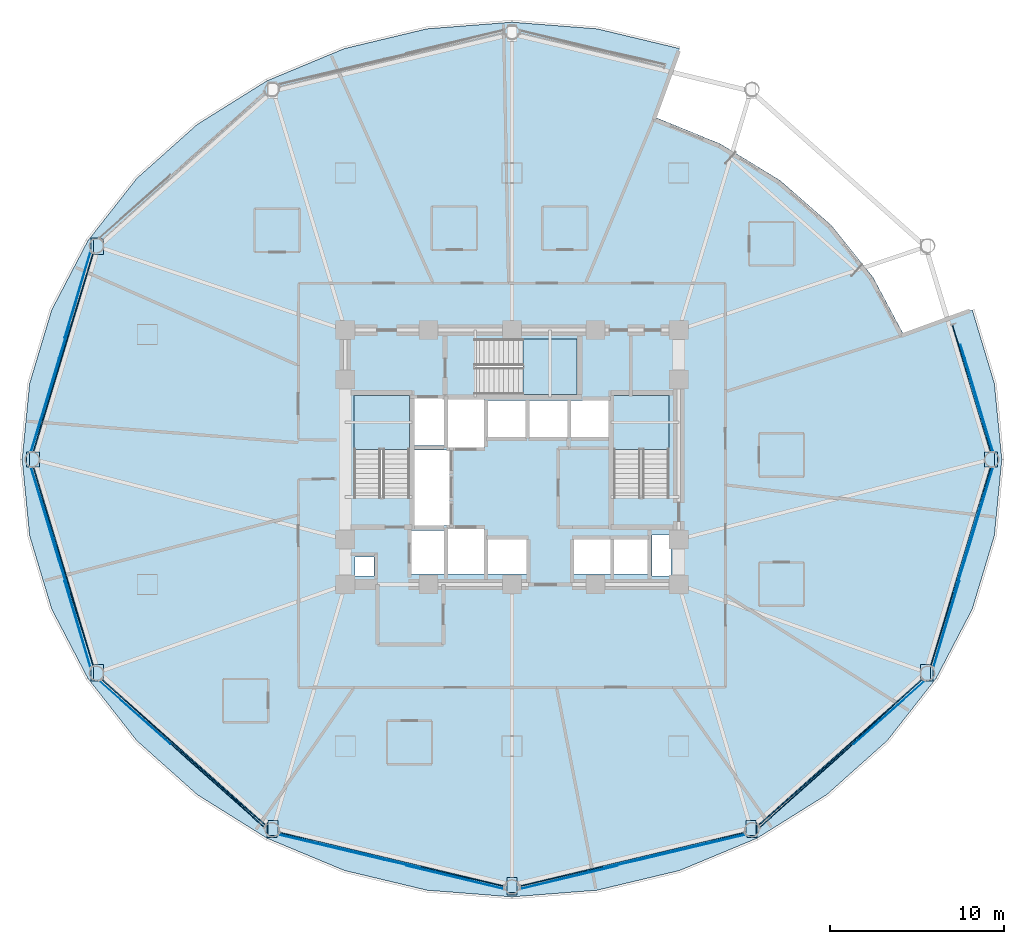
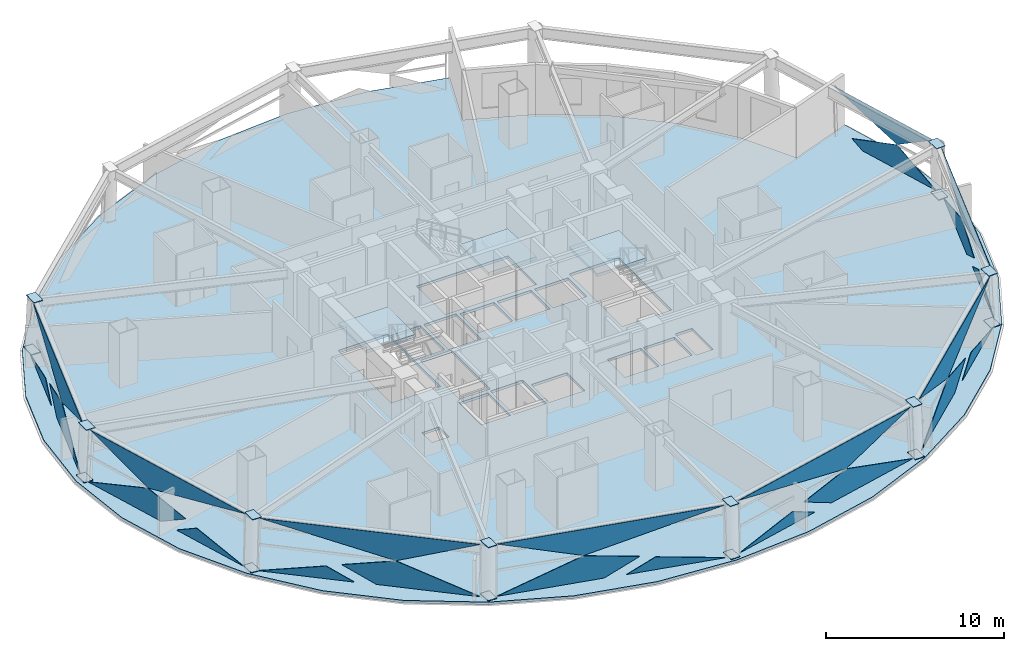
# One storey, part 6 of 16: 39 plates, 4 slabs, 11 elements without a shape of their own.
"""IFC4 building model written with IfcOpenShell, lengths in metres."""

from ifc_helpers import new_model, si_unit, direction, frame, origin, place, context, subcontext, project, spatial, polyline, outline, extrude, material, layer, layer_set, type_object, element, aggregate, save


model = new_model("IFC4")

# Units and contexts
model_context = context("Model", 3, precision=1e-05, world=origin(), true_north=direction((0.0, 1.0)))
body_context = subcontext(model_context, "Body", "Model", "MODEL_VIEW")
ifc_project = project(units=[si_unit("LENGTHUNIT", "METRE"), si_unit("AREAUNIT", "SQUARE_METRE"), si_unit("VOLUMEUNIT", "CUBIC_METRE"), si_unit("PLANEANGLEUNIT", "RADIAN"), si_unit("MASSUNIT", "GRAM", prefix="KILO")], contexts=[model_context])

# Site, building, storey
site_placement = place(None, origin())
site = spatial("IfcSite", under=ifc_project, at=site_placement, CompositionType="ELEMENT")
building_placement = place(site_placement, origin())
building = spatial("IfcBuilding", under=site, at=building_placement, Name="Vantalir Tower", CompositionType="ELEMENT")
storey_placement = place(building_placement, frame((0.0, 0.0, 75.75)))
storey = spatial("IfcBuildingStorey", under=building, at=storey_placement, Name="L18", CompositionType="ELEMENT", Elevation=75.75)

# Curtain wall, plates
ifc_material_1 = material(Name="Champagne-silver PVDF aluminium and double-silver Low-E glass", Category="aluminium")
ifc_layer_1 = layer(ifc_material_1, 0.18994140625)
ifc_layer_set_1 = layer_set([ifc_layer_1], Name="Champagne-silver PVDF aluminium and double-silver Low-E glass")
curtain_wall_type = type_object("IfcCurtainWallType", Name="CW-DIAMOND-Z1", PredefinedType="USERDEFINED", material=ifc_layer_set_1)
curtain_wall_1_placement = place(storey_placement, origin())
curtain_wall_1 = element("IfcCurtainWall", 1, at=curtain_wall_1_placement, inside=storey, type_object=curtain_wall_type, Name="L18 Quilted Pyramid-Diamond Curtain Wall S01", ObjectType="UNITISED CURTAIN WALL", PredefinedType="USERDEFINED")
ifc_material_2 = material(Name="Double-silver Low-E laminated glass IGU", Category="glass")
ifc_layer_2 = layer(ifc_material_2, 0.028076171875)
ifc_layer_set_2 = layer_set([ifc_layer_2], Name="Double-silver Low-E laminated glass IGU")
plate_type_1 = type_object("IfcPlateType", Name="CWP-IGU-28", PredefinedType="CURTAIN_PANEL", material=ifc_layer_set_2)
plate_1_placement = place(storey_placement, frame((59.200439453125, 25.46435546875, 0.04736328125), z_axis=(0.957304041792, 0.287757117074, 0.027655255235), x_axis=(-0.287866086844, 0.957670671064, -4.2775988e-05)))
plate_1 = element("IfcPlate", 2, at=plate_1_placement, type_object=plate_type_1, Name="CW-L18-S01 Pyramid Diamond Facet 1L", PredefinedType="CURTAIN_PANEL", context=body_context, shape_type="SweptSolid", body=[
    extrude(outline(polyline([(0.0, 0.0), (5.615678420909461, 7.535205098774256e-18), (6.429537660095368, 0.45088693846986483), (2.9261399174866742, 1.7251541653889613), (0.0, 0.0)])), origin(), (0.0, 0.0, -1.0), 0.028076171875),
])
plate_2_placement = place(storey_placement, frame((56.8564453125, 32.763671875, 3.52294921875), z_axis=(0.956231452006, 0.287428670884, 0.054828545022), x_axis=(0.287865045282, -0.957670982958, -6.4062545e-05)))
plate_2 = element("IfcPlate", 3, at=plate_2_placement, type_object=plate_type_1, Name="CW-L18-S01 Pyramid Diamond Facet 2U", PredefinedType="CURTAIN_PANEL", context=body_context, shape_type="SweptSolid", body=[
    extrude(outline(polyline([(0.0, 0.0), (7.621945883439684, 1.6859343782149594e-17), (4.738947060263646, 1.7271479337351439), (0.0, 0.0)])), origin(), (0.0, 0.0, -1.0), 0.028076171875),
])
aggregate(curtain_wall_1, [plate_1, plate_2])

curtain_wall_2_placement = place(storey_placement, origin())
curtain_wall_2 = element("IfcCurtainWall", 4, at=curtain_wall_2_placement, inside=storey, type_object=curtain_wall_type, Name="L18 Quilted Pyramid-Diamond Curtain Wall S06", ObjectType="UNITISED CURTAIN WALL", PredefinedType="USERDEFINED")
plate_3_placement = place(storey_placement, frame((5.415771484375, 30.841064453125, 0.04638671875), z_axis=(-0.957305992729, 0.287755875642, 0.027600585478), x_axis=(-0.287864397919, -0.957671178712, 4.3310185e-05)))
plate_3 = element("IfcPlate", 5, at=plate_3_placement, type_object=plate_type_1, Name="CW-L18-S06 Pyramid Diamond Facet 1L", PredefinedType="CURTAIN_PANEL", context=body_context, shape_type="SweptSolid", body=[
    extrude(outline(polyline([(0.0, 0.0), (5.614368829663237, -1.1384122811097797e-17), (1.0475314269052265, 1.7276635998947547), (-1.88618215124159, 1.0446681496288788), (0.0, 0.0)])), origin(), (0.0, 0.0, -1.0), 0.028076171875),
])
plate_4_placement = place(storey_placement, frame((7.2197265625, 36.953857421875, 0.047119140625), z_axis=(-0.957306716976, 0.287751935771, 0.027616536573), x_axis=(-0.287860475726, -0.957672357475, 4.7353261e-05)))
plate_4 = element("IfcPlate", 6, at=plate_4_placement, type_object=plate_type_1, Name="CW-L18-S06 Pyramid Diamond Facet 1L Infill Light", PredefinedType="CURTAIN_PANEL", context=body_context, shape_type="SweptSolid", body=[
    extrude(outline(polyline([(0.0, 0.0), (5.1557298918149135, 8.429671891074797e-18), (3.6296190774815407, 0.8451211668301184), (0.0, 0.0)])), origin(), (0.0, 0.0, -1.0), 0.028076171875),
])
plate_5_placement = place(storey_placement, frame((3.949462890625, 25.46435546875, 3.5234375), z_axis=(-0.956224002151, 0.287444887137, 0.054873441388), x_axis=(0.287879706856, 0.957666577657, 2.0485285e-05)))
plate_5 = element("IfcPlate", 7, at=plate_5_placement, type_object=plate_type_1, Name="CW-L18-S06 Pyramid Diamond Facet 2U", PredefinedType="CURTAIN_PANEL", context=body_context, shape_type="SweptSolid", body=[
    extrude(outline(polyline([(0.0, 0.0), (11.917853608351962, 9.134403303190375e-18), (4.5237710669476305, 1.7295051265420223), (0.0, 0.0)])), origin(), (0.0, 0.0, -1.0), 0.028076171875),
])
aggregate(curtain_wall_2, [plate_3, plate_4, plate_5])

curtain_wall_3_placement = place(storey_placement, origin())
curtain_wall_3 = element("IfcCurtainWall", 8, at=curtain_wall_3_placement, inside=storey, type_object=curtain_wall_type, Name="L18 Quilted Pyramid-Diamond Curtain Wall S07", ObjectType="UNITISED CURTAIN WALL", PredefinedType="USERDEFINED")
plate_6_placement = place(storey_placement, frame((3.799560546875, 24.53564453125, 0.046630859375), z_axis=(-0.957313865915, -0.287731187632, 0.027584883377), x_axis=(0.287839577074, -0.957678639209, -4.3282274e-05)))
plate_6 = element("IfcPlate", 9, at=plate_6_placement, type_object=plate_type_1, Name="CW-L18-S07 Pyramid Diamond Facet 1L", PredefinedType="CURTAIN_PANEL", context=body_context, shape_type="SweptSolid", body=[
    extrude(outline(polyline([(0.0, 0.0), (5.6148364433794855, -1.1926223897340549e-17), (7.501251685017302, 1.0446675175730398), (4.567303829150705, 1.7276628799862606), (0.0, 0.0)])), origin(), (0.0, 0.0, -1.0), 0.028076171875),
])
plate_7_placement = place(storey_placement, frame((5.735595703125, 17.98291015625, 0.04736328125), z_axis=(-0.957307782942, -0.287738033954, 0.027724222903), x_axis=(0.287847422133, -0.957676281073, -4.7351114e-05)))
plate_7 = element("IfcPlate", 10, at=plate_7_placement, type_object=plate_type_1, Name="CW-L18-S07 Pyramid Diamond Facet 1L Infill Light", PredefinedType="CURTAIN_PANEL", context=body_context, shape_type="SweptSolid", body=[
    extrude(outline(polyline([(0.0, 0.0), (5.155963699021778, 4.228388472693467e-18), (1.5258766901929224, 0.8451236726205684), (0.0, 0.0)])), origin(), (0.0, 0.0, -1.0), 0.028076171875),
])
plate_8_placement = place(storey_placement, frame((7.38037109375, 13.121337890625, 3.523681640625), z_axis=(-0.956229754858, -0.28742202323, 0.054892954794), x_axis=(-0.287857117969, 0.957673367707, -2.0483677e-05)))
plate_8 = element("IfcPlate", 11, at=plate_8_placement, type_object=plate_type_1, Name="CW-L18-S07 Pyramid Diamond Facet 2U", PredefinedType="CURTAIN_PANEL", context=body_context, shape_type="SweptSolid", body=[
    extrude(outline(polyline([(0.0, 0.0), (11.918788832934789, 2.99781900692242e-17), (7.3945479119901645, 1.7295069867229107), (0.0, 0.0)])), origin(), (0.0, 0.0, -1.0), 0.028076171875),
])
aggregate(curtain_wall_3, [plate_6, plate_7, plate_8])

curtain_wall_4_placement = place(storey_placement, origin())
curtain_wall_4 = element("IfcCurtainWall", 12, at=curtain_wall_4_placement, inside=storey, type_object=curtain_wall_type, Name="L18 Quilted Pyramid-Diamond Curtain Wall S08", ObjectType="UNITISED CURTAIN WALL", PredefinedType="USERDEFINED")
plate_9_placement = place(storey_placement, frame((12.786376953125, 7.779541015625, 0.04638671875), z_axis=(-0.665236980084, -0.746201167322, 0.025368843425), x_axis=(0.746441395791, -0.665451157223, -4.08753e-07)))
plate_9 = element("IfcPlate", 13, at=plate_9_placement, type_object=plate_type_1, Name="CW-L18-S08 Pyramid Diamond Facet 1L", PredefinedType="CURTAIN_PANEL", context=body_context, shape_type="SweptSolid", body=[
    extrude(outline(polyline([(0.0, 0.0), (5.937109446713349, 1.3877787807814457e-17), (1.1138530972884895, 1.727851470437266), (-1.9863404971147338, 1.0462319189839886), (0.0, 0.0)])), origin(), (0.0, 0.0, -1.0), 0.028076171875),
])
plate_10_placement = place(storey_placement, frame((7.730712890625, 12.243408203125, 0.047119140625), z_axis=(-0.665219675382, -0.746211462808, 0.025519331081), x_axis=(0.746454561531, -0.665436388823, 0.0)))
plate_10 = element("IfcPlate", 14, at=plate_10_placement, type_object=plate_type_1, Name="CW-L18-S08 Pyramid Diamond Facet 1L Infill Light", PredefinedType="CURTAIN_PANEL", context=body_context, shape_type="SweptSolid", body=[
    extrude(outline(polyline([(0.0, 0.0), (5.478371597545577, 0.0), (3.8649127175145264, 0.8498861584113077), (0.0, 0.0)])), origin(), (0.0, 0.0, -1.0), 0.028076171875),
])
plate_11_placement = place(storey_placement, frame((17.29296875, 3.944580078125, 3.5234375), z_axis=(-0.664501523133, -0.745409662705, 0.052935437091), x_axis=(-0.74645555828, 0.665435270435, 1.9364314e-05)))
plate_11 = element("IfcPlate", 15, at=plate_11_placement, type_object=plate_type_1, Name="CW-L18-S08 Pyramid Diamond Facet 2U", PredefinedType="CURTAIN_PANEL", context=body_context, shape_type="SweptSolid", body=[
    extrude(outline(polyline([(0.0, 0.0), (12.607760379185711, -3.558893631183668e-17), (4.801778784484, 1.7295687292890287), (0.0, 0.0)])), origin(), (0.0, 0.0, -1.0), 0.028076171875),
])
aggregate(curtain_wall_4, [plate_9, plate_10, plate_11])

curtain_wall_5_placement = place(storey_placement, origin())
curtain_wall_5 = element("IfcCurtainWall", 16, at=curtain_wall_5_placement, inside=storey, type_object=curtain_wall_type, Name="L18 Quilted Pyramid-Diamond Curtain Wall S09", ObjectType="UNITISED CURTAIN WALL", PredefinedType="USERDEFINED")
plate_12_placement = place(storey_placement, frame((18.0517578125, 3.393310546875, 0.04638671875), z_axis=(-0.232267114789, -0.972360359407, 0.023818455893), x_axis=(0.972636295479, -0.23233302976, -9.358e-08)))
plate_12 = element("IfcPlate", 17, at=plate_12_placement, type_object=plate_type_1, Name="CW-L18-S09 Pyramid Diamond Facet 1L", PredefinedType="CURTAIN_PANEL", context=body_context, shape_type="SweptSolid", body=[
    extrude(outline(polyline([(0.0, 0.0), (6.265947680784591, -6.938893903907228e-18), (8.34889737457563, 1.0444865549029145), (5.081644011316692, 1.7280291929725047), (0.0, 0.0)])), origin(), (0.0, 0.0, -1.0), 0.028076171875),
])
plate_13_placement = place(storey_placement, frame((25.418701171875, 1.600830078125, 0.047119140625), z_axis=(-0.232254279579, -0.972370458508, 0.023529577937), x_axis=(0.972639509786, -0.232319569144, -4.2386347e-05)))
plate_13 = element("IfcPlate", 18, at=plate_13_placement, type_object=plate_type_1, Name="CW-L18-S09 Pyramid Diamond Facet 1L Infill Light", PredefinedType="CURTAIN_PANEL", context=body_context, shape_type="SweptSolid", body=[
    extrude(outline(polyline([(0.0, 0.0), (5.759888289042187, -2.3310346708438345e-18), (1.695767419675362, 0.8501607683034017), (0.0, 0.0)])), origin(), (0.0, 0.0, -1.0), 0.028076171875),
])
plate_14_placement = place(storey_placement, frame((31.0283203125, 0.427490234375, 3.523681640625), z_axis=(-0.232029247717, -0.971368580814, 0.051044180982), x_axis=(-0.972636513564, 0.23233211677, 0.0)))
plate_14 = element("IfcPlate", 19, at=plate_14_placement, type_object=plate_type_1, Name="CW-L18-S09 Pyramid Diamond Facet 2U", PredefinedType="CURTAIN_PANEL", context=body_context, shape_type="SweptSolid", body=[
    extrude(outline(polyline([(0.0, 0.0), (13.264576384095847, 0.0), (8.228822312650859, 1.7300384880410888), (0.0, 0.0)])), origin(), (0.0, 0.0, -1.0), 0.028076171875),
])
aggregate(curtain_wall_5, [plate_12, plate_13, plate_14])

curtain_wall_6_placement = place(storey_placement, origin())
curtain_wall_6 = element("IfcCurtainWall", 20, at=curtain_wall_6_placement, inside=storey, type_object=curtain_wall_type, Name="L18 Quilted Pyramid-Diamond Curtain Wall S10", ObjectType="UNITISED CURTAIN WALL", PredefinedType="USERDEFINED")
plate_15_placement = place(storey_placement, frame((38.853759765625, 1.9375, 0.04638671875), z_axis=(0.232267114789, -0.972360359407, 0.023818455893), x_axis=(0.972636295479, 0.23233302976, 9.358e-08)))
plate_15 = element("IfcPlate", 21, at=plate_15_placement, type_object=plate_type_1, Name="CW-L18-S10 Pyramid Diamond Facet 1L", PredefinedType="CURTAIN_PANEL", context=body_context, shape_type="SweptSolid", body=[
    extrude(outline(polyline([(0.0, 0.0), (6.265947680784591, 6.938893903907228e-18), (1.1843036694678983, 1.7280291929725047), (-2.082949693791038, 1.0444865549029145), (0.0, 0.0)])), origin(), (0.0, 0.0, -1.0), 0.028076171875),
])
plate_16_placement = place(storey_placement, frame((31.97900390625, 0.2626953125, 0.046875), z_axis=(0.232254279579, -0.972370458508, 0.023529577937), x_axis=(0.972639509786, 0.232319569144, 4.2386347e-05)))
plate_16 = element("IfcPlate", 22, at=plate_16_placement, type_object=plate_type_1, Name="CW-L18-S10 Pyramid Diamond Facet 1L Infill Light", PredefinedType="CURTAIN_PANEL", context=body_context, shape_type="SweptSolid", body=[
    extrude(outline(polyline([(0.0, 0.0), (5.759888289042187, 2.3310346708438345e-18), (4.064120869366826, 0.8501607683034017), (0.0, 0.0)])), origin(), (0.0, 0.0, -1.0), 0.028076171875),
])
plate_17_placement = place(storey_placement, frame((44.873291015625, 3.50927734375, 3.523681640625), z_axis=(0.232029247717, -0.971368580814, 0.051044180982), x_axis=(-0.972636513564, -0.23233211677, 0.0)))
plate_17 = element("IfcPlate", 23, at=plate_17_placement, type_object=plate_type_1, Name="CW-L18-S10 Pyramid Diamond Facet 2U", PredefinedType="CURTAIN_PANEL", context=body_context, shape_type="SweptSolid", body=[
    extrude(outline(polyline([(0.0, 0.0), (13.264576384095847, 0.0), (5.035754071444987, 1.7300384880410888), (0.0, 0.0)])), origin(), (0.0, 0.0, -1.0), 0.028076171875),
])
aggregate(curtain_wall_6, [plate_15, plate_16, plate_17])

curtain_wall_7_placement = place(storey_placement, origin())
curtain_wall_7 = element("IfcCurtainWall", 24, at=curtain_wall_7_placement, inside=storey, type_object=curtain_wall_type, Name="L18 Quilted Pyramid-Diamond Curtain Wall S11", ObjectType="UNITISED CURTAIN WALL", PredefinedType="USERDEFINED")
plate_18_placement = place(storey_placement, frame((45.781982421875, 3.82861328125, 0.04638671875), z_axis=(0.665236980084, -0.746201167322, 0.025368843425), x_axis=(0.746441395791, 0.665451157223, 4.08753e-07)))
plate_18 = element("IfcPlate", 25, at=plate_18_placement, type_object=plate_type_1, Name="CW-L18-S11 Pyramid Diamond Facet 1L", PredefinedType="CURTAIN_PANEL", context=body_context, shape_type="SweptSolid", body=[
    extrude(outline(polyline([(0.0, 0.0), (5.937109446713349, -1.3877787807814457e-17), (7.923449943828083, 1.0462319189839886), (4.8232563494248595, 1.727851470437266), (0.0, 0.0)])), origin(), (0.0, 0.0, -1.0), 0.028076171875),
])
plate_19_placement = place(storey_placement, frame((51.179931640625, 8.597900390625, 0.047119140625), z_axis=(0.665219675382, -0.746211462808, 0.025519331081), x_axis=(0.746454561531, 0.665436388823, 0.0)))
plate_19 = element("IfcPlate", 26, at=plate_19_placement, type_object=plate_type_1, Name="CW-L18-S11 Pyramid Diamond Facet 1L Infill Light", PredefinedType="CURTAIN_PANEL", context=body_context, shape_type="SweptSolid", body=[
    extrude(outline(polyline([(0.0, 0.0), (5.478371597545577, 0.0), (1.6134588800310503, 0.8498861584113077), (0.0, 0.0)])), origin(), (0.0, 0.0, -1.0), 0.028076171875),
])
plate_20_placement = place(storey_placement, frame((55.1181640625, 12.334228515625, 3.523681640625), z_axis=(0.664501523133, -0.745409662705, 0.052935437091), x_axis=(-0.74645555828, -0.665435270435, -1.9364314e-05)))
plate_20 = element("IfcPlate", 27, at=plate_20_placement, type_object=plate_type_1, Name="CW-L18-S11 Pyramid Diamond Facet 2U", PredefinedType="CURTAIN_PANEL", context=body_context, shape_type="SweptSolid", body=[
    extrude(outline(polyline([(0.0, 0.0), (12.607760379185711, 3.558893631183668e-17), (7.805981594701709, 1.7295687292890287), (0.0, 0.0)])), origin(), (0.0, 0.0, -1.0), 0.028076171875),
])
aggregate(curtain_wall_7, [plate_18, plate_19, plate_20])

curtain_wall_8_placement = place(storey_placement, origin())
curtain_wall_8 = element("IfcCurtainWall", 28, at=curtain_wall_8_placement, inside=storey, type_object=curtain_wall_type, Name="L18 Quilted Pyramid-Diamond Curtain Wall S12", ObjectType="UNITISED CURTAIN WALL", PredefinedType="USERDEFINED")
plate_21_placement = place(storey_placement, frame((57.584228515625, 19.158447265625, 0.04638671875), z_axis=(0.957313865915, -0.287731187632, 0.027584883377), x_axis=(0.287839577074, 0.957678639209, 4.3282274e-05)))
plate_21 = element("IfcPlate", 29, at=plate_21_placement, type_object=plate_type_1, Name="CW-L18-S12 Pyramid Diamond Facet 1L", PredefinedType="CURTAIN_PANEL", context=body_context, shape_type="SweptSolid", body=[
    extrude(outline(polyline([(0.0, 0.0), (5.6148364433794855, 1.1926223897340549e-17), (1.0475326142287797, 1.7276628799862603), (-1.8864152416378173, 1.04466751757304), (0.0, 0.0)])), origin(), (0.0, 0.0, -1.0), 0.028076171875),
])
plate_22_placement = place(storey_placement, frame((55.7802734375, 13.045166015625, 0.047119140625), z_axis=(0.957307782942, -0.287738033954, 0.027724222903), x_axis=(0.287847422133, 0.957676281073, 4.7351114e-05)))
plate_22 = element("IfcPlate", 30, at=plate_22_placement, type_object=plate_type_1, Name="CW-L18-S12 Pyramid Diamond Facet 1L Infill Light", PredefinedType="CURTAIN_PANEL", context=body_context, shape_type="SweptSolid", body=[
    extrude(outline(polyline([(0.0, 0.0), (5.155963699021778, -4.228388472693467e-18), (3.6300870088288564, 0.8451236726205685), (0.0, 0.0)])), origin(), (0.0, 0.0, -1.0), 0.028076171875),
])
plate_23_placement = place(storey_placement, frame((59.050537109375, 24.53564453125, 3.5234375), z_axis=(0.956229754858, -0.28742202323, 0.054892954794), x_axis=(-0.287857117969, -0.957673367707, 2.0483677e-05)))
plate_23 = element("IfcPlate", 31, at=plate_23_placement, type_object=plate_type_1, Name="CW-L18-S12 Pyramid Diamond Facet 2U", PredefinedType="CURTAIN_PANEL", context=body_context, shape_type="SweptSolid", body=[
    extrude(outline(polyline([(0.0, 0.0), (11.918788832934789, -2.99781900692242e-17), (4.524240920944625, 1.7295069867229107), (0.0, 0.0)])), origin(), (0.0, 0.0, -1.0), 0.028076171875),
])
aggregate(curtain_wall_8, [plate_21, plate_22, plate_23])

# Plates
ifc_material_3 = material(Name="Steel S460", Category="steel")
ifc_layer_3 = layer(ifc_material_3, 0.035888671875)
ifc_layer_set_3 = layer_set([ifc_layer_3], Name="Steel S460")
plate_type_2 = type_object("IfcPlateType", Name="PLT-KN-Z2", PredefinedType="USERDEFINED", material=ifc_layer_set_3)
for number, where, z_axis, x_axis, name in (
    (32, (58.708984375, 25.43994140625, 3.585693359375), (-0.042085678405, 0.0, 0.999114005343), (0.0, -1.0, 0.0), "L18 Ring Column Top Cap RC01"),
    (33, (58.85791015625, 25.43994140625, 0.040771484375), (-0.042085678405, 0.0, 0.999114005343), (0.0, -1.0, 0.0), "L18 Ring Column Base Cap RC01"),
):
    element("IfcPlate", number, at=place(storey_placement, frame(where, z_axis=z_axis, x_axis=x_axis)), inside=storey, type_object=plate_type_2, Name=name, ObjectType="FLANGE_PLATE", PredefinedType="USERDEFINED", context=body_context, shape_type="SweptSolid", body=[
        extrude(outline(polyline([(0.0, 0.0), (0.8798828125, 0.0), (0.8798828125, 0.5801038126283118), (0.0, 0.5801038126283118), (0.0, 0.0)])), origin(), (0.0, 0.0, -1.0), 0.035888671875),
    ])
plate_24_placement = place(storey_placement, frame((7.395263671875, 37.686279296875, 3.61669921875), z_axis=(0.03641372764, -0.018713486702, 0.999161571446), x_axis=(-5.046741e-06, -0.999824658285, -0.018725721856)))
element("IfcPlate", 34, at=plate_24_placement, inside=storey, type_object=plate_type_2, Name="L18 Ring Column Top Cap RC06", ObjectType="FLANGE_PLATE", PredefinedType="USERDEFINED", context=body_context, shape_type="SweptSolid", body=[
    extrude(outline(polyline([(0.0, 0.0), (0.8800348368713151, 1.0842021724855044e-19), (0.8801855527353386, 0.5799789276755173), (0.0001461441545859493, 0.5799700391410357), (0.0, 0.0)])), origin(), (0.0, 0.0, -1.0), 0.035888671875),
])
plate_25_placement = place(storey_placement, frame((7.26611328125, 37.752685546875, 0.07177734375), z_axis=(0.036211460604, -0.018852194621, 0.999166314924), x_axis=(0.0, -0.999822048224, -0.018864566948)))
element("IfcPlate", 35, at=plate_25_placement, inside=storey, type_object=plate_type_2, Name="L18 Ring Column Base Cap RC06", ObjectType="FLANGE_PLATE", PredefinedType="USERDEFINED", context=body_context, shape_type="SweptSolid", body=[
    extrude(outline(polyline([(0.0, 0.0), (0.8800394170776396, 0.0), (0.8799473049343407, 0.5799702172222644), (-9.21121432988946e-05, 0.5799702172222644), (0.0, 0.0)])), origin(), (0.0, 0.0, -1.0), 0.035888671875),
])
for number, where, z_axis, x_axis, name in (
    (36, (3.71142578125, 25.43994140625, 3.610107421875), (0.042085678405, 0.0, 0.999114005343), (0.0, -1.0, 0.0), "L18 Ring Column Top Cap RC07"),
    (37, (3.5625, 25.43994140625, 0.065185546875), (0.042085678405, 0.0, 0.999114005343), (0.0, -1.0, 0.0), "L18 Ring Column Base Cap RC07"),
):
    element("IfcPlate", number, at=place(storey_placement, frame(where, z_axis=z_axis, x_axis=x_axis)), inside=storey, type_object=plate_type_2, Name=name, ObjectType="FLANGE_PLATE", PredefinedType="USERDEFINED", context=body_context, shape_type="SweptSolid", body=[
        extrude(outline(polyline([(0.0, 0.0), (0.8798828125, 0.0), (0.8798828125, 0.5801038126283118), (0.0, 0.5801038126283118), (0.0, 0.0)])), origin(), (0.0, 0.0, -1.0), 0.035888671875),
    ])
plate_26_placement = place(storey_placement, frame((7.395263671875, 13.192626953125, 3.600341796875), z_axis=(0.036417663623, 0.018716079676, 0.999161379427), x_axis=(5.141831e-06, -0.9998246097, 0.018728315754)))
element("IfcPlate", 38, at=plate_26_placement, inside=storey, type_object=plate_type_2, Name="L18 Ring Column Top Cap RC08", ObjectType="FLANGE_PLATE", PredefinedType="USERDEFINED", context=body_context, shape_type="SweptSolid", body=[
    extrude(outline(polyline([(0.0, 0.0), (0.8800348365517091, -1.0842021724855044e-19), (0.8798886930362821, 0.579970038656233), (9.338194696225256e-05, 0.5799790934112469), (0.0, 0.0)])), origin(), (0.0, 0.0, -1.0), 0.035888671875),
])
plate_27_placement = place(storey_placement, frame((7.26611328125, 13.126220703125, 0.05517578125), z_axis=(0.036211460604, 0.018852194621, 0.999166314924), x_axis=(0.0, -0.999822048224, 0.018864566948)))
element("IfcPlate", 39, at=plate_27_placement, inside=storey, type_object=plate_type_2, Name="L18 Ring Column Base Cap RC08", ObjectType="FLANGE_PLATE", PredefinedType="USERDEFINED", context=body_context, shape_type="SweptSolid", body=[
    extrude(outline(polyline([(0.0, 0.0), (0.8800394170776396, 0.0), (0.8801315292209384, 0.5799702172222643), (9.21121432988946e-05, 0.5799702172222644), (0.0, 0.0)])), origin(), (0.0, 0.0, -1.0), 0.035888671875),
])
plate_28_placement = place(storey_placement, frame((17.460693359375, 4.227783203125, 3.58984375), z_axis=(0.021057368516, 0.032453133942, 0.999251410471), x_axis=(-9.4811e-08, -0.999473024526, 0.032460333398)))
element("IfcPlate", 40, at=plate_28_placement, inside=storey, type_object=plate_type_2, Name="L18 Ring Column Top Cap RC09", ObjectType="FLANGE_PLATE", PredefinedType="USERDEFINED", context=body_context, shape_type="SweptSolid", body=[
    extrude(outline(polyline([(0.0, 0.0), (0.8798583235720644, 1.0842021724855044e-19), (0.8799500482310894, 0.5799626634858474), (-0.0001522873098535785, 0.5799624965854708), (0.0, 0.0)])), origin(), (0.0, 0.0, -1.0), 0.035888671875),
])
plate_29_placement = place(storey_placement, frame((17.38623046875, 4.11279296875, 0.044677734375), z_axis=(0.020853942928, 0.032587296409, 0.99925131032), x_axis=(2.890279e-06, -0.999468663846, 0.032594324361)))
element("IfcPlate", 41, at=plate_29_placement, inside=storey, type_object=plate_type_2, Name="L18 Ring Column Base Cap RC09", ObjectType="FLANGE_PLATE", PredefinedType="USERDEFINED", context=body_context, shape_type="SweptSolid", body=[
    extrude(outline(polyline([(0.0, 0.0), (0.8801023270969617, -1.0842021724855044e-19), (0.8802021024502444, 0.5799575620447538), (9.181775456170528e-05, 0.5799626506572197), (0.0, 0.0)])), origin(), (0.0, 0.0, -1.0), 0.035888671875),
])
plate_30_placement = place(storey_placement, frame((31.2099609375, 0.94580078125, 3.58154296875), z_axis=(0.0, 0.037452882643, 0.999298394666), x_axis=(0.0, -0.999298394666, 0.037452882643)))
element("IfcPlate", 42, at=plate_30_placement, inside=storey, type_object=plate_type_2, Name="L18 Ring Column Top Cap RC10", ObjectType="FLANGE_PLATE", PredefinedType="USERDEFINED", context=body_context, shape_type="SweptSolid", body=[
    extrude(outline(polyline([(0.0, 0.0), (0.8800119523298754, 0.0), (0.8800119523298754, 0.5800781250000001), (0.0, 0.5800781250000001), (0.0, 0.0)])), origin(), (0.0, 0.0, -1.0), 0.035888671875),
])
plate_31_placement = place(storey_placement, frame((31.2099609375, 0.812744140625, 0.036376953125), z_axis=(0.0, 0.03772991792, 0.999287973156), x_axis=(0.0, -0.999287973156, 0.03772991792)))
element("IfcPlate", 43, at=plate_31_placement, inside=storey, type_object=plate_type_2, Name="L18 Ring Column Base Cap RC10", ObjectType="FLANGE_PLATE", PredefinedType="USERDEFINED", context=body_context, shape_type="SweptSolid", body=[
    extrude(outline(polyline([(0.0, 0.0), (0.8800211299180111, 0.0), (0.8800211299180111, 0.580078125), (0.0, 0.580078125), (0.0, 0.0)])), origin(), (0.0, 0.0, -1.0), 0.035888671875),
])
plate_32_placement = place(storey_placement, frame((44.95947265625, 4.2275390625, 3.57763671875), z_axis=(-0.021057368516, 0.032453133942, 0.999251410471), x_axis=(-9.4785e-08, -0.999473024656, 0.032460329407)))
element("IfcPlate", 44, at=plate_32_placement, inside=storey, type_object=plate_type_2, Name="L18 Ring Column Top Cap RC11", ObjectType="FLANGE_PLATE", PredefinedType="USERDEFINED", context=body_context, shape_type="SweptSolid", body=[
    extrude(outline(polyline([(0.0, 0.0), (0.8801023355409586, 0.0), (0.880010500899284, 0.5799626634684424), (0.00015217732723546312, 0.5799624966143396), (0.0, 0.0)])), origin(), (0.0, 0.0, -1.0), 0.035888671875),
])
plate_33_placement = place(storey_placement, frame((45.033935546875, 4.1123046875, 0.032470703125), z_axis=(-0.020853942928, 0.032587296409, 0.99925131032), x_axis=(2.890253e-06, -0.999468659916, 0.03259444487)))
element("IfcPlate", 45, at=plate_33_placement, inside=storey, type_object=plate_type_2, Name="L18 Ring Column Base Cap RC11", ObjectType="FLANGE_PLATE", PredefinedType="USERDEFINED", context=body_context, shape_type="SweptSolid", body=[
    extrude(outline(polyline([(0.0, 0.0), (0.8801102847103934, 0.0), (0.8800138625496965, 0.5799575626119402), (-8.84645325547302e-05, 0.579962651178397), (0.0, 0.0)])), origin(), (0.0, 0.0, -1.0), 0.035888671875),
])
plate_34_placement = place(storey_placement, frame((55.025146484375, 13.192138671875, 3.5791015625), z_axis=(-0.036417663623, 0.018716079676, 0.999161379427), x_axis=(5.143231e-06, -0.999824602681, 0.018728690495)))
element("IfcPlate", 46, at=plate_34_placement, inside=storey, type_object=plate_type_2, Name="L18 Ring Column Top Cap RC12", ObjectType="FLANGE_PLATE", PredefinedType="USERDEFINED", context=body_context, shape_type="SweptSolid", body=[
    extrude(outline(polyline([(0.0, 0.0), (0.8797953111359152, 0.0), (0.8799474236381533, 0.5799700371214243), (-8.741286694790147e-05, 0.5799790943416071), (0.0, 0.0)])), origin(), (0.0, 0.0, -1.0), 0.035888671875),
])
plate_35_placement = place(storey_placement, frame((55.154296875, 13.125732421875, 0.0341796875), z_axis=(-0.036211460604, 0.018852194621, 0.999166314924), x_axis=(0.0, -0.999822048224, 0.018864566948)))
element("IfcPlate", 47, at=plate_35_placement, inside=storey, type_object=plate_type_2, Name="L18 Ring Column Base Cap RC12", ObjectType="FLANGE_PLATE", PredefinedType="USERDEFINED", context=body_context, shape_type="SweptSolid", body=[
    extrude(outline(polyline([(0.0, 0.0), (0.8800394170776396, 0.0), (0.8799473049343407, 0.5799702172222644), (-9.21121432988946e-05, 0.5799702172222644), (0.0, 0.0)])), origin(), (0.0, 0.0, -1.0), 0.035888671875),
])

# Stair, slab
ifc_material_4 = material(Name="Concrete C40/50", Category="concrete")
stair_type = type_object("IfcStairType", Name="STR-CORE-1450", PredefinedType="HALF_TURN_STAIR", material=ifc_material_4)
stair_1_placement = place(storey_placement, origin())
stair_1 = element("IfcStair", 48, at=stair_1_placement, inside=storey, type_object=stair_type, Name="L18 Core Exit Stair 1", PredefinedType="HALF_TURN_STAIR")
ifc_layer_4 = layer(ifc_material_4, 0.199951171875)
ifc_layer_set_4 = layer_set([ifc_layer_4], Name="Concrete C40/50")
slab_type_1 = type_object("IfcSlabType", Name="SL-LAND-200", PredefinedType="LANDING", material=ifc_layer_set_4)
slab_1_placement = place(storey_placement, frame((0.0, 0.0, 1.675048828125)))
slab_1 = element("IfcSlab", 49, at=slab_1_placement, type_object=slab_type_1, Name="ST1 landing 1", PredefinedType="LANDING", context=body_context, shape_type="SweptSolid", body=[
    extrude(outline(polyline([(25.60009765625, 25.590087890625), (25.60009765625, 28.699951171875), (22.39990234375, 28.699951171875), (22.39990234375, 25.590087890625), (25.60009765625, 25.590087890625)])), origin(), (0.0, 0.0, 1.0), 0.199951171875),
])
aggregate(stair_1, [slab_1])

stair_2_placement = place(storey_placement, origin())
stair_2 = element("IfcStair", 50, at=stair_2_placement, inside=storey, type_object=stair_type, Name="L18 Core Exit Stair 2", PredefinedType="HALF_TURN_STAIR")
slab_2_placement = place(storey_placement, frame((0.0, 0.0, 1.675048828125)))
slab_2 = element("IfcSlab", 51, at=slab_2_placement, type_object=slab_type_1, Name="ST2 landing 1", PredefinedType="LANDING", context=body_context, shape_type="SweptSolid", body=[
    extrude(outline(polyline([(40.550048828125, 25.590087890625), (40.550048828125, 28.699951171875), (37.35009765625, 28.699951171875), (37.35009765625, 25.590087890625), (40.550048828125, 25.590087890625)])), origin(), (0.0, 0.0, 1.0), 0.199951171875),
])
aggregate(stair_2, [slab_2])

stair_3_placement = place(storey_placement, origin())
stair_3 = element("IfcStair", 52, at=stair_3_placement, inside=storey, type_object=stair_type, Name="L18 Core Exit Stair 3", PredefinedType="HALF_TURN_STAIR")
slab_3_placement = place(storey_placement, frame((0.0, 0.0, 1.675048828125)))
slab_3 = element("IfcSlab", 53, at=slab_3_placement, type_object=slab_type_1, Name="ST3 landing 1", PredefinedType="LANDING", context=body_context, shape_type="SweptSolid", body=[
    extrude(outline(polyline([(32.139892578125, 28.75), (35.25, 28.75), (35.25, 31.949951171875), (32.139892578125, 31.949951171875), (32.139892578125, 28.75)])), origin(), (0.0, 0.0, 1.0), 0.199951171875),
])
aggregate(stair_3, [slab_3])

# Slab
ifc_layer_5 = layer(ifc_material_4, 0.179931640625)
ifc_layer_set_5 = layer_set([ifc_layer_5], Name="Concrete C40/50")
slab_type_2 = type_object("IfcSlabType", Name="SL-TWR-180", PredefinedType="FLOOR", material=ifc_layer_set_5)
slab_4_placement = place(storey_placement, frame((0.0, 0.0, -0.179931640625)))
element("IfcSlab", 54, at=slab_4_placement, inside=storey, type_object=slab_type_2, Name="L18 Primary Structural Slab", PredefinedType="FLOOR", context=body_context, shape_type="SweptSolid", body=[
    extrude(outline(polyline([(7.077880859375, 12.409912109375), (9.89794921875, 8.81494140625), (13.373046875, 5.7119140625), (17.39990234375, 3.194091796875), (21.85498046875, 1.339111328125), (26.60302734375, 0.2041015625), (31.5, -0.178955078125), (36.39697265625, 0.2041015625), (41.14501953125, 1.339111328125), (45.60009765625, 3.194091796875), (49.626953125, 5.7119140625), (53.10205078125, 8.81494140625), (55.922119140625, 12.409912109375), (57.9990234375, 16.387939453125), (59.27197265625, 20.6279296875), (59.699951171875, 25.0), (59.27197265625, 29.3720703125), (57.9990234375, 33.612060546875), (54.052978515625, 32.175048828125), (52.284912109375, 35.489013671875), (49.885009765625, 38.485107421875), (46.927001953125, 41.071044921875), (43.5, 43.16796875), (39.7080078125, 44.714111328125), (41.14501953125, 48.660888671875), (36.39697265625, 49.7958984375), (31.5, 50.178955078125), (26.60302734375, 49.7958984375), (21.85498046875, 48.660888671875), (17.39990234375, 46.805908203125), (13.373046875, 44.2880859375), (9.89794921875, 41.18505859375), (7.077880859375, 37.589111328125), (5.0009765625, 33.612060546875), (3.72802734375, 29.3720703125), (3.300048828125, 25.0), (3.72802734375, 20.6279296875), (5.0009765625, 16.387939453125), (7.077880859375, 12.409912109375)]), holes=[polyline([(22.39990234375, 22.7900390625), (22.39990234375, 28.699951171875), (25.60009765625, 28.699951171875), (25.60009765625, 22.7900390625), (22.39990234375, 22.7900390625)]), polyline([(37.35009765625, 28.699951171875), (40.550048828125, 28.699951171875), (40.550048828125, 22.7900390625), (37.35009765625, 22.7900390625), (37.35009765625, 28.699951171875)]), polyline([(35.25, 28.75), (29.340087890625, 28.75), (29.340087890625, 31.949951171875), (35.25, 31.949951171875), (35.25, 28.75)]), polyline([(27.60009765625, 18.39990234375), (25.699951171875, 18.39990234375), (25.699951171875, 20.89990234375), (27.60009765625, 20.89990234375), (27.60009765625, 18.39990234375)]), polyline([(25.699951171875, 25.800048828125), (25.699951171875, 28.5), (27.60009765625, 28.5), (27.60009765625, 25.800048828125), (25.699951171875, 25.800048828125)]), polyline([(27.800048828125, 21.0), (29.89990234375, 21.0), (29.89990234375, 18.39990234375), (27.800048828125, 18.39990234375), (27.800048828125, 21.0)]), polyline([(29.89990234375, 28.5), (29.89990234375, 25.699951171875), (27.800048828125, 25.699951171875), (27.800048828125, 28.5), (29.89990234375, 28.5)]), polyline([(32.39990234375, 18.39990234375), (30.10009765625, 18.39990234375), (30.10009765625, 20.39990234375), (32.39990234375, 20.39990234375), (32.39990234375, 18.39990234375)]), polyline([(37.35009765625, 18.39990234375), (37.35009765625, 20.39990234375), (39.35009765625, 20.39990234375), (39.35009765625, 18.39990234375), (37.35009765625, 18.39990234375)]), polyline([(35.0, 20.39990234375), (37.199951171875, 20.39990234375), (37.199951171875, 18.39990234375), (35.0, 18.39990234375), (35.0, 20.39990234375)]), polyline([(32.300048828125, 28.39990234375), (32.300048828125, 26.300048828125), (30.10009765625, 26.300048828125), (30.10009765625, 28.39990234375), (32.300048828125, 28.39990234375)]), polyline([(34.699951171875, 26.300048828125), (32.5, 26.300048828125), (32.5, 28.39990234375), (34.699951171875, 28.39990234375), (34.699951171875, 26.300048828125)]), polyline([(34.89990234375, 26.300048828125), (34.89990234375, 28.39990234375), (37.10009765625, 28.39990234375), (37.10009765625, 26.300048828125), (34.89990234375, 26.300048828125)]), polyline([(25.889892578125, 25.56005859375), (27.89990234375, 25.56005859375), (27.89990234375, 21.199951171875), (25.889892578125, 21.199951171875), (25.889892578125, 25.56005859375)]), polyline([(23.550048828125, 19.39990234375), (23.550048828125, 18.300048828125), (22.449951171875, 18.300048828125), (22.449951171875, 19.39990234375), (23.550048828125, 19.39990234375)]), polyline([(40.64990234375, 18.300048828125), (39.550048828125, 18.300048828125), (39.550048828125, 20.64990234375), (40.64990234375, 20.64990234375), (40.64990234375, 18.300048828125)])]), origin(), (0.0, 0.0, 1.0), 0.179931640625),
])

save(model, "model.ifc")
